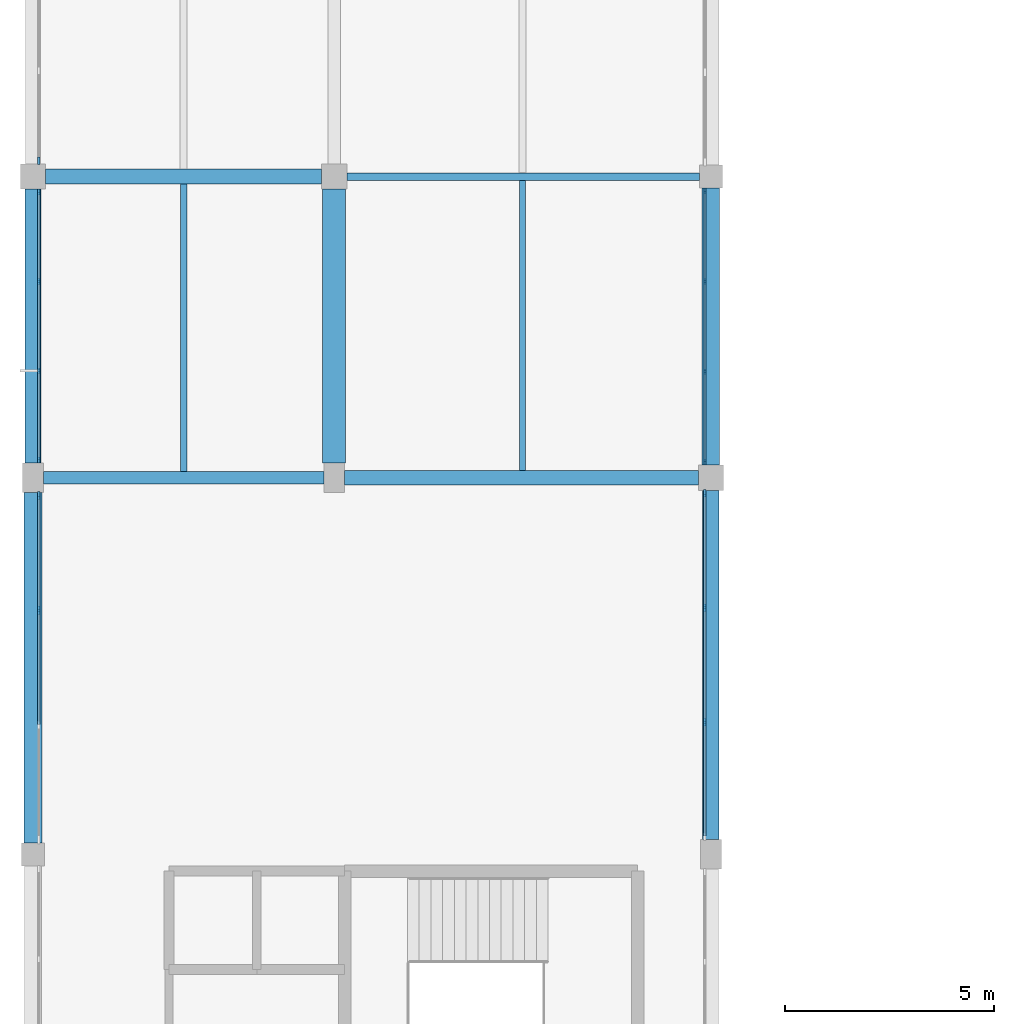
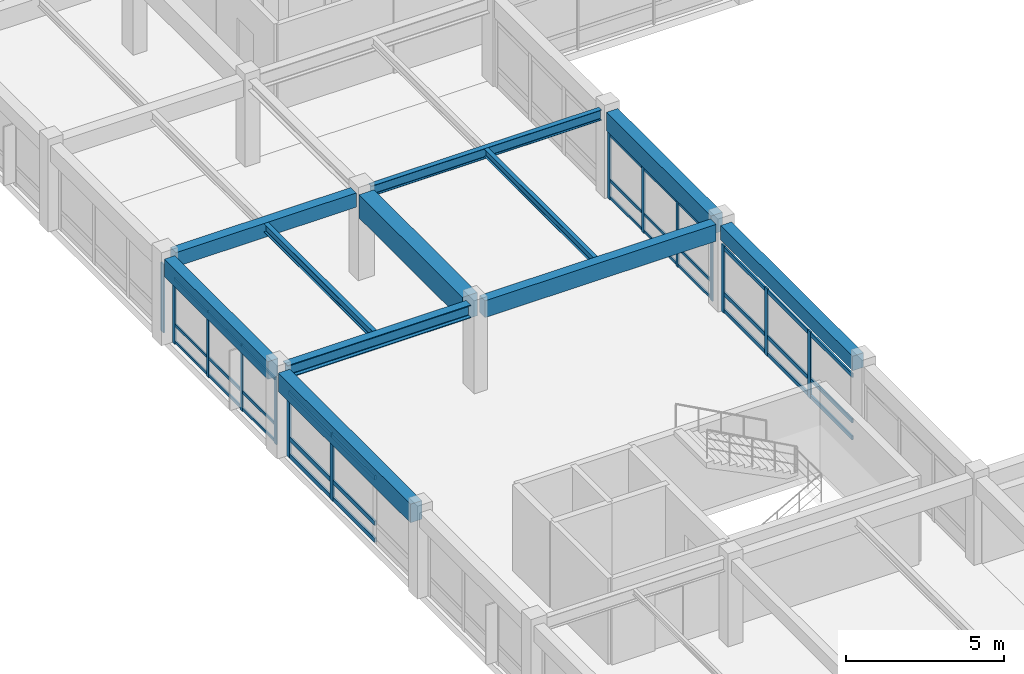
# One storey, part 20 of 74: 47 members, 11 beams, 5 elements without a shape of their own.
"""IFC4 building model written with IfcOpenShell, lengths in metres."""

from ifc_helpers import new_model, si_unit, direction, frame, origin, origin_2d, place, context, subcontext, project, spatial, rectangle, i_section, extrude, material, material_profile, profile_set, type_object, element, aggregate, save


model = new_model("IFC4")

# Units and contexts
model_context = context("Model", 3, precision=1e-05, world=origin(), true_north=direction((0.0, 1.0)))
body_context = subcontext(model_context, "Body", "Model", "MODEL_VIEW")
ifc_project = project(units=[si_unit("LENGTHUNIT", "METRE"), si_unit("AREAUNIT", "SQUARE_METRE"), si_unit("VOLUMEUNIT", "CUBIC_METRE"), si_unit("PLANEANGLEUNIT", "RADIAN"), si_unit("MASSUNIT", "GRAM", prefix="KILO")], contexts=[model_context])

# Site, building, storey
site_placement = place(None, origin())
site = spatial("IfcSite", under=ifc_project, at=site_placement, CompositionType="ELEMENT")
building_placement = place(site_placement, origin())
building = spatial("IfcBuilding", under=site, at=building_placement, Name="Clarverna Civic Hall", CompositionType="ELEMENT")
storey_placement = place(building_placement, frame((0.0, 0.0, 9.60009765625)))
storey = spatial("IfcBuildingStorey", under=building, at=storey_placement, Name="L02", CompositionType="ELEMENT", Elevation=9.60009765625)

# Beams
ifc_material_1 = material(Name="Concrete C35/45", Category="concrete")
ifc_material_profile_1 = material_profile(ifc_material_1, rectangle(XDim=0.550048828125, YDim=0.89990234375, at=origin_2d()), Name="RC 550x900")
ifc_profile_set_1 = profile_set([ifc_material_profile_1], Name="Concrete C35/45")
beam_type_1 = type_object("IfcBeamType", Name="B-RC13", PredefinedType="BEAM", material=ifc_profile_set_1)
beam_1_placement = place(storey_placement, frame((7.199951171875, 88.14990234375, 2.869873046875), z_axis=(0.0, 1.0, 0.0), x_axis=(-1.0, 0.0, 0.0)))
element("IfcBeam", 1, at=beam_1_placement, inside=storey, type_object=beam_type_1, Name="B-RC13-027", PredefinedType="BEAM", context=body_context, shape_type="SweptSolid", body=[
    extrude(rectangle(XDim=0.550048828125, YDim=0.89990234375, at=origin_2d()), origin(), (0.0, 0.0, 1.0), 6.550048828125),
])
ifc_material_profile_2 = material_profile(ifc_material_1, rectangle(XDim=0.35009765625, YDim=0.64990234375, at=origin_2d()), Name="RC 350x650")
ifc_profile_set_2 = profile_set([ifc_material_profile_2], Name="Concrete C35/45")
beam_type_2 = type_object("IfcBeamType", Name="B-RC17", PredefinedType="BEAM", material=ifc_profile_set_2)
beam_2_placement = place(storey_placement, frame((7.449951171875, 87.800048828125, 2.994873046875), z_axis=(1.0, 0.0, 0.0), x_axis=(0.0, 1.0, 0.0)))
element("IfcBeam", 2, at=beam_2_placement, inside=storey, type_object=beam_type_2, Name="B-RC17-029", PredefinedType="BEAM", context=body_context, shape_type="SweptSolid", body=[
    extrude(rectangle(XDim=0.35009765625, YDim=0.64990234375, at=origin_2d()), origin(), (0.0, 0.0, 1.0), 8.449951171875),
])
ifc_material_profile_3 = material_profile(ifc_material_1, rectangle(XDim=0.35009765625, YDim=0.550048828125, at=origin_2d()), Name="RC 350x550")
ifc_profile_set_3 = profile_set([ifc_material_profile_3], Name="Concrete C35/45")
beam_type_3 = type_object("IfcBeamType", Name="B-RC9", PredefinedType="BEAM", material=ifc_profile_set_3)
beam_3_placement = place(storey_placement, frame((0.300048828125, 95.0, 3.044921875), z_axis=(1.0, 0.0, 0.0), x_axis=(0.0, 1.0, 0.0)))
element("IfcBeam", 3, at=beam_3_placement, inside=storey, type_object=beam_type_3, Name="B-RC9-035", PredefinedType="BEAM", context=body_context, shape_type="SweptSolid", body=[
    extrude(rectangle(XDim=0.35009765625, YDim=0.550048828125, at=origin_2d()), origin(), (0.0, 0.0, 1.0), 6.599853515625),
])
ifc_material_profile_4 = material_profile(ifc_material_1, rectangle(XDim=0.419921875, YDim=0.719970703125, at=origin_2d()), Name="RC 420x720")
ifc_profile_set_4 = profile_set([ifc_material_profile_4], Name="Concrete C35/45")
beam_type_4 = type_object("IfcBeamType", Name="B-SP1", PredefinedType="SPANDREL", material=ifc_profile_set_4)
beam_4_placement = place(storey_placement, frame((0.0, 79.074951171875, 2.9599609375), z_axis=(0.0, 1.0, 0.0), x_axis=(-1.0, 0.0, 0.0)))
element("IfcBeam", 4, at=beam_4_placement, inside=storey, type_object=beam_type_4, Name="B-SP1-095", PredefinedType="SPANDREL", context=body_context, shape_type="SweptSolid", body=[
    extrude(rectangle(XDim=0.419921875, YDim=0.719970703125, at=origin_2d()), origin(), (0.0, 0.0, 1.0), 8.375),
])
beam_5_placement = place(storey_placement, frame((16.199951171875, 88.10009765625, 2.9599609375), z_axis=(0.0, 1.0, 0.0), x_axis=(-1.0, 0.0, 0.0)))
element("IfcBeam", 5, at=beam_5_placement, inside=storey, type_object=beam_type_4, Name="B-SP1-097", PredefinedType="SPANDREL", context=body_context, shape_type="SweptSolid", body=[
    extrude(rectangle(XDim=0.419921875, YDim=0.719970703125, at=origin_2d()), origin(), (0.0, 0.0, 1.0), 6.625),
])
ifc_material_profile_5 = material_profile(ifc_material_1, rectangle(XDim=0.3798828125, YDim=0.679931640625, at=origin_2d()), Name="RC 380x680")
ifc_profile_set_5 = profile_set([ifc_material_profile_5], Name="Concrete C35/45")
beam_type_5 = type_object("IfcBeamType", Name="B-SP2", PredefinedType="SPANDREL", material=ifc_profile_set_5)
beam_6_placement = place(storey_placement, frame((0.0, 88.14990234375, 2.97998046875), z_axis=(0.0, 1.0, 0.0), x_axis=(-1.0, 0.0, 0.0)))
element("IfcBeam", 6, at=beam_6_placement, inside=storey, type_object=beam_type_5, Name="B-SP2-099", PredefinedType="SPANDREL", context=body_context, shape_type="SweptSolid", body=[
    extrude(rectangle(XDim=0.3798828125, YDim=0.679931640625, at=origin_2d()), origin(), (0.0, 0.0, 1.0), 6.550048828125),
])
ifc_material_profile_6 = material_profile(ifc_material_1, rectangle(XDim=0.39990234375, YDim=0.56005859375, at=origin_2d()), Name="RC 400x560")
ifc_profile_set_6 = profile_set([ifc_material_profile_6], Name="Concrete C35/45")
beam_type_6 = type_object("IfcBeamType", Name="B-SP4", PredefinedType="SPANDREL", material=ifc_profile_set_6)
beam_7_placement = place(storey_placement, frame((16.199951171875, 79.14990234375, 3.039794921875), z_axis=(0.0, 1.0, 0.0), x_axis=(-1.0, 0.0, 0.0)))
element("IfcBeam", 7, at=beam_7_placement, inside=storey, type_object=beam_type_6, Name="B-SP4-098", PredefinedType="SPANDREL", context=body_context, shape_type="SweptSolid", body=[
    extrude(rectangle(XDim=0.39990234375, YDim=0.56005859375, at=origin_2d()), origin(), (0.0, 0.0, 1.0), 8.35009765625),
])
ifc_material_2 = material(Name="Steel S355", Category="steel")
ifc_material_profile_7 = material_profile(ifc_material_2, i_section(OverallWidth=0.179931640625, OverallDepth=0.39990234375, WebThickness=0.008544921875, FlangeThickness=0.013427734375, FilletRadius=0.02099609375, at=origin_2d()), Name="IPE 400")
ifc_profile_set_7 = profile_set([ifc_material_profile_7], Name="Steel S355")
beam_type_7 = type_object("IfcBeamType", Name="B-ST14", PredefinedType="BEAM", material=ifc_profile_set_7)
beam_8_placement = place(storey_placement, frame((7.5, 95.0, 3.119873046875), z_axis=(1.0, 0.0, 0.0), x_axis=(0.0, 1.0, 0.0)))
element("IfcBeam", 8, at=beam_8_placement, inside=storey, type_object=beam_type_7, Name="B-ST14-010", PredefinedType="BEAM", context=body_context, shape_type="SweptSolid", body=[
    extrude(i_section(OverallWidth=0.179931640625, OverallDepth=0.39990234375, WebThickness=0.008544921875, FlangeThickness=0.013427734375, FilletRadius=0.02099609375, at=origin_2d()), origin(), (0.0, 0.0, 1.0), 8.425048828125),
])
ifc_material_profile_8 = material_profile(ifc_material_2, i_section(OverallWidth=0.300048828125, OverallDepth=0.5, WebThickness=0.014404296875, FlangeThickness=0.028076171875, FilletRadius=0.027099609375, at=origin_2d()), Name="HEB 500")
ifc_profile_set_8 = profile_set([ifc_material_profile_8], Name="Steel S355")
beam_type_8 = type_object("IfcBeamType", Name="B-ST2", PredefinedType="BEAM", material=ifc_profile_set_8)
beam_9_placement = place(storey_placement, frame((0.25, 87.800048828125, 3.06982421875), z_axis=(1.0, 0.0, 0.0), x_axis=(0.0, 1.0, 0.0)))
element("IfcBeam", 9, at=beam_9_placement, inside=storey, type_object=beam_type_8, Name="B-ST2-005", PredefinedType="BEAM", context=body_context, shape_type="SweptSolid", body=[
    extrude(i_section(OverallWidth=0.300048828125, OverallDepth=0.5, WebThickness=0.014404296875, FlangeThickness=0.028076171875, FilletRadius=0.027099609375, at=origin_2d()), origin(), (0.0, 0.0, 1.0), 6.699951171875),
])

# Curtain wall, member
ifc_material_3 = material(Name="Anodised Bronze Architectural Aluminium", Category="aluminium")
curtain_wall_type_1 = type_object("IfcCurtainWallType", Name="CW-01", PredefinedType="USERDEFINED", material=ifc_material_3)
curtain_wall_1_placement = place(storey_placement, origin())
curtain_wall_1 = element("IfcCurtainWall", 10, at=curtain_wall_1_placement, inside=storey, type_object=curtain_wall_type_1, Name="CW-01-027", ObjectType="UNITISED CURTAIN WALL", PredefinedType="USERDEFINED")
ifc_material_profile_9 = material_profile(ifc_material_3, rectangle(XDim=0.06005859375, YDim=0.179931640625, at=origin_2d()), Name="BRONZE 60x180")
ifc_profile_set_9 = profile_set([ifc_material_profile_9], Name="Anodised Bronze Architectural Aluminium")
member_type_1 = type_object("IfcMemberType", Name="CWM-01", PredefinedType="MULLION", material=ifc_profile_set_9)
member_1_placement = place(storey_placement, frame((0.139892578125, 95.373046875, 0.0), z_axis=(0.0, 0.0, 1.0), x_axis=(1.0, 0.0, 0.0)))
member_1 = element("IfcMember", 11, at=member_1_placement, type_object=member_type_1, Name="CWM-01-078", PredefinedType="MULLION", context=body_context, shape_type="SweptSolid", body=[
    extrude(rectangle(XDim=0.06005859375, YDim=0.179931640625, at=origin_2d()), origin(), (0.0, 0.0, 1.0), 2.639892578125),
])
aggregate(curtain_wall_1, [member_1])

# Curtain wall, members
curtain_wall_type_2 = type_object("IfcCurtainWallType", Name="CW-04", PredefinedType="USERDEFINED", material=ifc_material_3)
curtain_wall_2_placement = place(storey_placement, origin())
curtain_wall_2 = element("IfcCurtainWall", 12, at=curtain_wall_2_placement, inside=storey, type_object=curtain_wall_type_2, Name="CW-04-034", ObjectType="UNITISED CURTAIN WALL", PredefinedType="USERDEFINED")
member_2_placement = place(storey_placement, frame((16.06005859375, 87.427001953125, 0.0), z_axis=(0.0, 0.0, 1.0), x_axis=(1.0, 0.0, 0.0)))
member_2 = element("IfcMember", 13, at=member_2_placement, type_object=member_type_1, Name="CWM-01-121", PredefinedType="MULLION", context=body_context, shape_type="SweptSolid", body=[
    extrude(rectangle(XDim=0.06005859375, YDim=0.179931640625, at=origin_2d()), origin(), (0.0, 0.0, 1.0), 2.599853515625),
])
member_3_placement = place(storey_placement, frame((16.06005859375, 84.6923828125, 0.0), z_axis=(0.0, 0.0, 1.0), x_axis=(1.0, 0.0, 0.0)))
member_3 = element("IfcMember", 14, at=member_3_placement, type_object=member_type_1, Name="CWM-01-122", PredefinedType="MULLION", context=body_context, shape_type="SweptSolid", body=[
    extrude(rectangle(XDim=0.06005859375, YDim=0.179931640625, at=origin_2d()), origin(), (0.0, 0.0, 1.0), 2.599853515625),
])
member_4_placement = place(storey_placement, frame((16.06005859375, 81.957763671875, 0.0), z_axis=(0.0, 0.0, 1.0), x_axis=(1.0, 0.0, 0.0)))
member_4 = element("IfcMember", 15, at=member_4_placement, type_object=member_type_1, Name="CWM-01-123", PredefinedType="MULLION", context=body_context, shape_type="SweptSolid", body=[
    extrude(rectangle(XDim=0.06005859375, YDim=0.179931640625, at=origin_2d()), origin(), (0.0, 0.0, 1.0), 2.599853515625),
])

curtain_wall_3_placement = place(storey_placement, origin())
curtain_wall_3 = element("IfcCurtainWall", 16, at=curtain_wall_3_placement, inside=storey, type_object=curtain_wall_type_1, Name="CW-01-025", ObjectType="UNITISED CURTAIN WALL", PredefinedType="USERDEFINED")
ifc_material_profile_10 = material_profile(ifc_material_3, rectangle(XDim=0.06494140625, YDim=0.199951171875, at=origin_2d()), Name="BRONZE 65x200")
ifc_profile_set_10 = profile_set([ifc_material_profile_10], Name="Anodised Bronze Architectural Aluminium")
member_type_2 = type_object("IfcMemberType", Name="CWM-03", PredefinedType="MULLION", material=ifc_profile_set_10)
member_5_placement = place(storey_placement, frame((0.139892578125, 84.634033203125, 0.0), z_axis=(0.0, 0.0, 1.0), x_axis=(1.0, 0.0, 0.0)))
member_5 = element("IfcMember", 17, at=member_5_placement, type_object=member_type_2, Name="CWM-03-077", PredefinedType="MULLION", context=body_context, shape_type="SweptSolid", body=[
    extrude(rectangle(XDim=0.06494140625, YDim=0.199951171875, at=origin_2d()), origin(), (0.0, 0.0, 1.0), 2.599853515625),
])
member_6_placement = place(storey_placement, frame((0.139892578125, 87.376953125, 0.0), z_axis=(0.0, 0.0, 1.0), x_axis=(1.0, 0.0, 0.0)))
member_6 = element("IfcMember", 18, at=member_6_placement, type_object=member_type_2, Name="CWM-03-078", PredefinedType="MULLION", context=body_context, shape_type="SweptSolid", body=[
    extrude(rectangle(XDim=0.06494140625, YDim=0.199951171875, at=origin_2d()), origin(), (0.0, 0.0, 1.0), 2.599853515625),
])

curtain_wall_4_placement = place(storey_placement, origin())
curtain_wall_4 = element("IfcCurtainWall", 19, at=curtain_wall_4_placement, inside=storey, type_object=curtain_wall_type_1, Name="CW-01-026", ObjectType="UNITISED CURTAIN WALL", PredefinedType="USERDEFINED")
ifc_material_profile_11 = material_profile(ifc_material_3, rectangle(XDim=0.054931640625, YDim=0.139892578125, at=origin_2d()), Name="BRONZE 55x140")
ifc_profile_set_11 = profile_set([ifc_material_profile_11], Name="Anodised Bronze Architectural Aluminium")
member_type_3 = type_object("IfcMemberType", Name="CWM-04", PredefinedType="MULLION", material=ifc_profile_set_11)
member_7_placement = place(storey_placement, frame((0.139892578125, 88.222900390625, 0.0), z_axis=(0.0, 0.0, 1.0), x_axis=(1.0, 0.0, 0.0)))
member_7 = element("IfcMember", 20, at=member_7_placement, type_object=member_type_3, Name="CWM-04-089", PredefinedType="MULLION", context=body_context, shape_type="SweptSolid", body=[
    extrude(rectangle(XDim=0.054931640625, YDim=0.139892578125, at=origin_2d()), origin(), (0.0, 0.0, 1.0), 2.599853515625),
])
member_8_placement = place(storey_placement, frame((0.139892578125, 90.357666015625, 0.0), z_axis=(0.0, 0.0, 1.0), x_axis=(1.0, 0.0, 0.0)))
member_8 = element("IfcMember", 21, at=member_8_placement, type_object=member_type_3, Name="CWM-04-090", PredefinedType="MULLION", context=body_context, shape_type="SweptSolid", body=[
    extrude(rectangle(XDim=0.054931640625, YDim=0.139892578125, at=origin_2d()), origin(), (0.0, 0.0, 1.0), 2.599853515625),
])
member_9_placement = place(storey_placement, frame((0.139892578125, 92.4921875, 0.0), z_axis=(0.0, 0.0, 1.0), x_axis=(1.0, 0.0, 0.0)))
member_9 = element("IfcMember", 22, at=member_9_placement, type_object=member_type_3, Name="CWM-04-091", PredefinedType="MULLION", context=body_context, shape_type="SweptSolid", body=[
    extrude(rectangle(XDim=0.054931640625, YDim=0.139892578125, at=origin_2d()), origin(), (0.0, 0.0, 1.0), 2.599853515625),
])
member_10_placement = place(storey_placement, frame((0.139892578125, 94.626953125, 0.0), z_axis=(0.0, 0.0, 1.0), x_axis=(1.0, 0.0, 0.0)))
member_10 = element("IfcMember", 23, at=member_10_placement, type_object=member_type_3, Name="CWM-04-092", PredefinedType="MULLION", context=body_context, shape_type="SweptSolid", body=[
    extrude(rectangle(XDim=0.054931640625, YDim=0.139892578125, at=origin_2d()), origin(), (0.0, 0.0, 1.0), 2.599853515625),
])

curtain_wall_5_placement = place(storey_placement, origin())
curtain_wall_5 = element("IfcCurtainWall", 24, at=curtain_wall_5_placement, inside=storey, type_object=curtain_wall_type_2, Name="CW-04-033", ObjectType="UNITISED CURTAIN WALL", PredefinedType="USERDEFINED")
member_11_placement = place(storey_placement, frame((16.06005859375, 94.652099609375, 0.0), z_axis=(0.0, 0.0, 1.0), x_axis=(1.0, 0.0, 0.0)))
member_11 = element("IfcMember", 25, at=member_11_placement, type_object=member_type_3, Name="CWM-04-149", PredefinedType="MULLION", context=body_context, shape_type="SweptSolid", body=[
    extrude(rectangle(XDim=0.054931640625, YDim=0.139892578125, at=origin_2d()), origin(), (0.0, 0.0, 1.0), 2.599853515625),
])
member_12_placement = place(storey_placement, frame((16.06005859375, 92.4921875, 0.0), z_axis=(0.0, 0.0, 1.0), x_axis=(1.0, 0.0, 0.0)))
member_12 = element("IfcMember", 26, at=member_12_placement, type_object=member_type_3, Name="CWM-04-150", PredefinedType="MULLION", context=body_context, shape_type="SweptSolid", body=[
    extrude(rectangle(XDim=0.054931640625, YDim=0.139892578125, at=origin_2d()), origin(), (0.0, 0.0, 1.0), 2.599853515625),
])
member_13_placement = place(storey_placement, frame((16.06005859375, 90.332763671875, 0.0), z_axis=(0.0, 0.0, 1.0), x_axis=(1.0, 0.0, 0.0)))
member_13 = element("IfcMember", 27, at=member_13_placement, type_object=member_type_3, Name="CWM-04-151", PredefinedType="MULLION", context=body_context, shape_type="SweptSolid", body=[
    extrude(rectangle(XDim=0.054931640625, YDim=0.139892578125, at=origin_2d()), origin(), (0.0, 0.0, 1.0), 2.599853515625),
])
member_14_placement = place(storey_placement, frame((16.06005859375, 88.173095703125, 0.0), z_axis=(0.0, 0.0, 1.0), x_axis=(1.0, 0.0, 0.0)))
member_14 = element("IfcMember", 28, at=member_14_placement, type_object=member_type_3, Name="CWM-04-152", PredefinedType="MULLION", context=body_context, shape_type="SweptSolid", body=[
    extrude(rectangle(XDim=0.054931640625, YDim=0.139892578125, at=origin_2d()), origin(), (0.0, 0.0, 1.0), 2.599853515625),
])

# Member
ifc_material_profile_12 = material_profile(ifc_material_3, rectangle(XDim=0.06005859375, YDim=0.14990234375, at=origin_2d()), Name="BRONZE 60x150")
ifc_profile_set_12 = profile_set([ifc_material_profile_12], Name="Anodised Bronze Architectural Aluminium")
member_type_4 = type_object("IfcMemberType", Name="CWT-01", PredefinedType="USERDEFINED", material=ifc_profile_set_12)
member_15_placement = place(storey_placement, frame((16.06005859375, 87.412109375, 0.094970703125), z_axis=(0.0, -1.0, 0.0), x_axis=(1.0, 0.0, 0.0)))
member_15 = element("IfcMember", 29, at=member_15_placement, type_object=member_type_4, Name="CWT-01-256", ObjectType="TRANSOM", PredefinedType="USERDEFINED", context=body_context, shape_type="SweptSolid", body=[
    extrude(rectangle(XDim=0.06005859375, YDim=0.14990234375, at=origin_2d()), origin(), (0.0, 0.0, 1.0), 2.704833984375),
])

member_16_placement = place(storey_placement, frame((16.06005859375, 87.412109375, 0.75), z_axis=(0.0, -1.0, 0.0), x_axis=(1.0, 0.0, 0.0)))
member_16 = element("IfcMember", 30, at=member_16_placement, type_object=member_type_4, Name="CWT-01-257", ObjectType="TRANSOM", PredefinedType="USERDEFINED", context=body_context, shape_type="SweptSolid", body=[
    extrude(rectangle(XDim=0.06005859375, YDim=0.14990234375, at=origin_2d()), origin(), (0.0, 0.0, 1.0), 2.704833984375),
])

member_17_placement = place(storey_placement, frame((16.06005859375, 87.412109375, 2.5048828125), z_axis=(0.0, -1.0, 0.0), x_axis=(1.0, 0.0, 0.0)))
member_17 = element("IfcMember", 31, at=member_17_placement, type_object=member_type_4, Name="CWT-01-258", ObjectType="TRANSOM", PredefinedType="USERDEFINED", context=body_context, shape_type="SweptSolid", body=[
    extrude(rectangle(XDim=0.06005859375, YDim=0.14990234375, at=origin_2d()), origin(), (0.0, 0.0, 1.0), 2.704833984375),
])

member_18_placement = place(storey_placement, frame((16.06005859375, 84.67724609375, 0.094970703125), z_axis=(0.0, -1.0, 0.0), x_axis=(1.0, 0.0, 0.0)))
member_18 = element("IfcMember", 32, at=member_18_placement, type_object=member_type_4, Name="CWT-01-259", ObjectType="TRANSOM", PredefinedType="USERDEFINED", context=body_context, shape_type="SweptSolid", body=[
    extrude(rectangle(XDim=0.06005859375, YDim=0.14990234375, at=origin_2d()), origin(), (0.0, 0.0, 1.0), 2.70458984375),
])

member_19_placement = place(storey_placement, frame((16.06005859375, 84.67724609375, 0.75), z_axis=(0.0, -1.0, 0.0), x_axis=(1.0, 0.0, 0.0)))
member_19 = element("IfcMember", 33, at=member_19_placement, type_object=member_type_4, Name="CWT-01-260", ObjectType="TRANSOM", PredefinedType="USERDEFINED", context=body_context, shape_type="SweptSolid", body=[
    extrude(rectangle(XDim=0.06005859375, YDim=0.14990234375, at=origin_2d()), origin(), (0.0, 0.0, 1.0), 2.70458984375),
])

member_20_placement = place(storey_placement, frame((16.06005859375, 84.67724609375, 2.5048828125), z_axis=(0.0, -1.0, 0.0), x_axis=(1.0, 0.0, 0.0)))
member_20 = element("IfcMember", 34, at=member_20_placement, type_object=member_type_4, Name="CWT-01-261", ObjectType="TRANSOM", PredefinedType="USERDEFINED", context=body_context, shape_type="SweptSolid", body=[
    extrude(rectangle(XDim=0.06005859375, YDim=0.14990234375, at=origin_2d()), origin(), (0.0, 0.0, 1.0), 2.70458984375),
])

member_21_placement = place(storey_placement, frame((16.06005859375, 81.942626953125, 0.094970703125), z_axis=(0.0, -1.0, 0.0), x_axis=(1.0, 0.0, 0.0)))
member_21 = element("IfcMember", 35, at=member_21_placement, type_object=member_type_4, Name="CWT-01-262", ObjectType="TRANSOM", PredefinedType="USERDEFINED", context=body_context, shape_type="SweptSolid", body=[
    extrude(rectangle(XDim=0.06005859375, YDim=0.14990234375, at=origin_2d()), origin(), (0.0, 0.0, 1.0), 2.70458984375),
])

member_22_placement = place(storey_placement, frame((16.06005859375, 81.942626953125, 0.75), z_axis=(0.0, -1.0, 0.0), x_axis=(1.0, 0.0, 0.0)))
member_22 = element("IfcMember", 36, at=member_22_placement, type_object=member_type_4, Name="CWT-01-263", ObjectType="TRANSOM", PredefinedType="USERDEFINED", context=body_context, shape_type="SweptSolid", body=[
    extrude(rectangle(XDim=0.06005859375, YDim=0.14990234375, at=origin_2d()), origin(), (0.0, 0.0, 1.0), 2.70458984375),
])

member_23_placement = place(storey_placement, frame((16.06005859375, 81.942626953125, 2.5048828125), z_axis=(0.0, -1.0, 0.0), x_axis=(1.0, 0.0, 0.0)))
member_23 = element("IfcMember", 37, at=member_23_placement, type_object=member_type_4, Name="CWT-01-264", ObjectType="TRANSOM", PredefinedType="USERDEFINED", context=body_context, shape_type="SweptSolid", body=[
    extrude(rectangle(XDim=0.06005859375, YDim=0.14990234375, at=origin_2d()), origin(), (0.0, 0.0, 1.0), 2.70458984375),
])

aggregate(curtain_wall_2, [member_2, member_3, member_4, member_15, member_16, member_17, member_18, member_19, member_20, member_21, member_22, member_23])

ifc_material_profile_13 = material_profile(ifc_material_3, rectangle(XDim=0.06494140625, YDim=0.169921875, at=origin_2d()), Name="BRONZE 65x170")
ifc_profile_set_13 = profile_set([ifc_material_profile_13], Name="Anodised Bronze Architectural Aluminium")
member_type_5 = type_object("IfcMemberType", Name="CWT-03", PredefinedType="USERDEFINED", material=ifc_profile_set_13)
member_24_placement = place(storey_placement, frame((0.139892578125, 81.906005859375, 0.094970703125), z_axis=(0.0, 1.0, 0.0), x_axis=(-1.0, 0.0, 0.0)))
member_24 = element("IfcMember", 38, at=member_24_placement, type_object=member_type_5, Name="CWT-03-160", ObjectType="TRANSOM", PredefinedType="USERDEFINED", context=body_context, shape_type="SweptSolid", body=[
    extrude(rectangle(XDim=0.06494140625, YDim=0.169921875, at=origin_2d()), origin(), (0.0, 0.0, 1.0), 2.712890625),
])

member_25_placement = place(storey_placement, frame((0.139892578125, 81.906005859375, 0.75), z_axis=(0.0, 1.0, 0.0), x_axis=(-1.0, 0.0, 0.0)))
member_25 = element("IfcMember", 39, at=member_25_placement, type_object=member_type_5, Name="CWT-03-161", ObjectType="TRANSOM", PredefinedType="USERDEFINED", context=body_context, shape_type="SweptSolid", body=[
    extrude(rectangle(XDim=0.06494140625, YDim=0.169921875, at=origin_2d()), origin(), (0.0, 0.0, 1.0), 2.712890625),
])

member_26_placement = place(storey_placement, frame((0.139892578125, 81.906005859375, 2.5048828125), z_axis=(0.0, 1.0, 0.0), x_axis=(-1.0, 0.0, 0.0)))
member_26 = element("IfcMember", 40, at=member_26_placement, type_object=member_type_5, Name="CWT-03-162", ObjectType="TRANSOM", PredefinedType="USERDEFINED", context=body_context, shape_type="SweptSolid", body=[
    extrude(rectangle(XDim=0.06494140625, YDim=0.169921875, at=origin_2d()), origin(), (0.0, 0.0, 1.0), 2.712890625),
])

member_27_placement = place(storey_placement, frame((0.139892578125, 84.64892578125, 0.094970703125), z_axis=(0.0, 1.0, 0.0), x_axis=(-1.0, 0.0, 0.0)))
member_27 = element("IfcMember", 41, at=member_27_placement, type_object=member_type_5, Name="CWT-03-163", ObjectType="TRANSOM", PredefinedType="USERDEFINED", context=body_context, shape_type="SweptSolid", body=[
    extrude(rectangle(XDim=0.06494140625, YDim=0.169921875, at=origin_2d()), origin(), (0.0, 0.0, 1.0), 2.713134765625),
])

member_28_placement = place(storey_placement, frame((0.139892578125, 84.64892578125, 0.75), z_axis=(0.0, 1.0, 0.0), x_axis=(-1.0, 0.0, 0.0)))
member_28 = element("IfcMember", 42, at=member_28_placement, type_object=member_type_5, Name="CWT-03-164", ObjectType="TRANSOM", PredefinedType="USERDEFINED", context=body_context, shape_type="SweptSolid", body=[
    extrude(rectangle(XDim=0.06494140625, YDim=0.169921875, at=origin_2d()), origin(), (0.0, 0.0, 1.0), 2.713134765625),
])

member_29_placement = place(storey_placement, frame((0.139892578125, 84.64892578125, 2.5048828125), z_axis=(0.0, 1.0, 0.0), x_axis=(-1.0, 0.0, 0.0)))
member_29 = element("IfcMember", 43, at=member_29_placement, type_object=member_type_5, Name="CWT-03-165", ObjectType="TRANSOM", PredefinedType="USERDEFINED", context=body_context, shape_type="SweptSolid", body=[
    extrude(rectangle(XDim=0.06494140625, YDim=0.169921875, at=origin_2d()), origin(), (0.0, 0.0, 1.0), 2.713134765625),
])

aggregate(curtain_wall_3, [member_5, member_6, member_24, member_25, member_26, member_27, member_28, member_29])

ifc_material_profile_14 = material_profile(ifc_material_3, rectangle(XDim=0.054931640625, YDim=0.110107421875, at=origin_2d()), Name="BRONZE 55x110")
ifc_profile_set_14 = profile_set([ifc_material_profile_14], Name="Anodised Bronze Architectural Aluminium")
member_type_6 = type_object("IfcMemberType", Name="CWT-04", PredefinedType="USERDEFINED", material=ifc_profile_set_14)
member_30_placement = place(storey_placement, frame((0.139892578125, 88.238037109375, 0.094970703125), z_axis=(0.0, 1.0, 0.0), x_axis=(-1.0, 0.0, 0.0)))
member_30 = element("IfcMember", 44, at=member_30_placement, type_object=member_type_6, Name="CWT-04-187", ObjectType="TRANSOM", PredefinedType="USERDEFINED", context=body_context, shape_type="SweptSolid", body=[
    extrude(rectangle(XDim=0.054931640625, YDim=0.110107421875, at=origin_2d()), origin(), (0.0, 0.0, 1.0), 2.104736328125),
])

member_31_placement = place(storey_placement, frame((0.139892578125, 88.238037109375, 0.75), z_axis=(0.0, 1.0, 0.0), x_axis=(-1.0, 0.0, 0.0)))
member_31 = element("IfcMember", 45, at=member_31_placement, type_object=member_type_6, Name="CWT-04-188", ObjectType="TRANSOM", PredefinedType="USERDEFINED", context=body_context, shape_type="SweptSolid", body=[
    extrude(rectangle(XDim=0.054931640625, YDim=0.110107421875, at=origin_2d()), origin(), (0.0, 0.0, 1.0), 2.104736328125),
])

member_32_placement = place(storey_placement, frame((0.139892578125, 88.238037109375, 2.5048828125), z_axis=(0.0, 1.0, 0.0), x_axis=(-1.0, 0.0, 0.0)))
member_32 = element("IfcMember", 46, at=member_32_placement, type_object=member_type_6, Name="CWT-04-189", ObjectType="TRANSOM", PredefinedType="USERDEFINED", context=body_context, shape_type="SweptSolid", body=[
    extrude(rectangle(XDim=0.054931640625, YDim=0.110107421875, at=origin_2d()), origin(), (0.0, 0.0, 1.0), 2.104736328125),
])

member_33_placement = place(storey_placement, frame((0.139892578125, 90.372802734375, 0.094970703125), z_axis=(0.0, 1.0, 0.0), x_axis=(-1.0, 0.0, 0.0)))
member_33 = element("IfcMember", 47, at=member_33_placement, type_object=member_type_6, Name="CWT-04-190", ObjectType="TRANSOM", PredefinedType="USERDEFINED", context=body_context, shape_type="SweptSolid", body=[
    extrude(rectangle(XDim=0.054931640625, YDim=0.110107421875, at=origin_2d()), origin(), (0.0, 0.0, 1.0), 2.1044921875),
])

member_34_placement = place(storey_placement, frame((0.139892578125, 90.372802734375, 0.75), z_axis=(0.0, 1.0, 0.0), x_axis=(-1.0, 0.0, 0.0)))
member_34 = element("IfcMember", 48, at=member_34_placement, type_object=member_type_6, Name="CWT-04-191", ObjectType="TRANSOM", PredefinedType="USERDEFINED", context=body_context, shape_type="SweptSolid", body=[
    extrude(rectangle(XDim=0.054931640625, YDim=0.110107421875, at=origin_2d()), origin(), (0.0, 0.0, 1.0), 2.1044921875),
])

member_35_placement = place(storey_placement, frame((0.139892578125, 90.372802734375, 2.5048828125), z_axis=(0.0, 1.0, 0.0), x_axis=(-1.0, 0.0, 0.0)))
member_35 = element("IfcMember", 49, at=member_35_placement, type_object=member_type_6, Name="CWT-04-192", ObjectType="TRANSOM", PredefinedType="USERDEFINED", context=body_context, shape_type="SweptSolid", body=[
    extrude(rectangle(XDim=0.054931640625, YDim=0.110107421875, at=origin_2d()), origin(), (0.0, 0.0, 1.0), 2.1044921875),
])

member_36_placement = place(storey_placement, frame((0.139892578125, 92.50732421875, 0.094970703125), z_axis=(0.0, 1.0, 0.0), x_axis=(-1.0, 0.0, 0.0)))
member_36 = element("IfcMember", 50, at=member_36_placement, type_object=member_type_6, Name="CWT-04-193", ObjectType="TRANSOM", PredefinedType="USERDEFINED", context=body_context, shape_type="SweptSolid", body=[
    extrude(rectangle(XDim=0.054931640625, YDim=0.110107421875, at=origin_2d()), origin(), (0.0, 0.0, 1.0), 2.104736328125),
])

member_37_placement = place(storey_placement, frame((0.139892578125, 92.50732421875, 0.75), z_axis=(0.0, 1.0, 0.0), x_axis=(-1.0, 0.0, 0.0)))
member_37 = element("IfcMember", 51, at=member_37_placement, type_object=member_type_6, Name="CWT-04-194", ObjectType="TRANSOM", PredefinedType="USERDEFINED", context=body_context, shape_type="SweptSolid", body=[
    extrude(rectangle(XDim=0.054931640625, YDim=0.110107421875, at=origin_2d()), origin(), (0.0, 0.0, 1.0), 2.104736328125),
])

member_38_placement = place(storey_placement, frame((0.139892578125, 92.50732421875, 2.5048828125), z_axis=(0.0, 1.0, 0.0), x_axis=(-1.0, 0.0, 0.0)))
member_38 = element("IfcMember", 52, at=member_38_placement, type_object=member_type_6, Name="CWT-04-195", ObjectType="TRANSOM", PredefinedType="USERDEFINED", context=body_context, shape_type="SweptSolid", body=[
    extrude(rectangle(XDim=0.054931640625, YDim=0.110107421875, at=origin_2d()), origin(), (0.0, 0.0, 1.0), 2.104736328125),
])

aggregate(curtain_wall_4, [member_7, member_8, member_9, member_10, member_30, member_31, member_32, member_33, member_34, member_35, member_36, member_37, member_38])

member_39_placement = place(storey_placement, frame((16.06005859375, 94.636962890625, 0.094970703125), z_axis=(0.0, -1.0, 0.0), x_axis=(1.0, 0.0, 0.0)))
member_39 = element("IfcMember", 53, at=member_39_placement, type_object=member_type_6, Name="CWT-04-313", ObjectType="TRANSOM", PredefinedType="USERDEFINED", context=body_context, shape_type="SweptSolid", body=[
    extrude(rectangle(XDim=0.054931640625, YDim=0.110107421875, at=origin_2d()), origin(), (0.0, 0.0, 1.0), 2.129638671875),
])

member_40_placement = place(storey_placement, frame((16.06005859375, 94.636962890625, 0.75), z_axis=(0.0, -1.0, 0.0), x_axis=(1.0, 0.0, 0.0)))
member_40 = element("IfcMember", 54, at=member_40_placement, type_object=member_type_6, Name="CWT-04-314", ObjectType="TRANSOM", PredefinedType="USERDEFINED", context=body_context, shape_type="SweptSolid", body=[
    extrude(rectangle(XDim=0.054931640625, YDim=0.110107421875, at=origin_2d()), origin(), (0.0, 0.0, 1.0), 2.129638671875),
])

member_41_placement = place(storey_placement, frame((16.06005859375, 94.636962890625, 2.5048828125), z_axis=(0.0, -1.0, 0.0), x_axis=(1.0, 0.0, 0.0)))
member_41 = element("IfcMember", 55, at=member_41_placement, type_object=member_type_6, Name="CWT-04-315", ObjectType="TRANSOM", PredefinedType="USERDEFINED", context=body_context, shape_type="SweptSolid", body=[
    extrude(rectangle(XDim=0.054931640625, YDim=0.110107421875, at=origin_2d()), origin(), (0.0, 0.0, 1.0), 2.129638671875),
])

member_42_placement = place(storey_placement, frame((16.06005859375, 92.477294921875, 0.094970703125), z_axis=(0.0, -1.0, 0.0), x_axis=(1.0, 0.0, 0.0)))
member_42 = element("IfcMember", 56, at=member_42_placement, type_object=member_type_6, Name="CWT-04-316", ObjectType="TRANSOM", PredefinedType="USERDEFINED", context=body_context, shape_type="SweptSolid", body=[
    extrude(rectangle(XDim=0.054931640625, YDim=0.110107421875, at=origin_2d()), origin(), (0.0, 0.0, 1.0), 2.129638671875),
])

member_43_placement = place(storey_placement, frame((16.06005859375, 92.477294921875, 0.75), z_axis=(0.0, -1.0, 0.0), x_axis=(1.0, 0.0, 0.0)))
member_43 = element("IfcMember", 57, at=member_43_placement, type_object=member_type_6, Name="CWT-04-317", ObjectType="TRANSOM", PredefinedType="USERDEFINED", context=body_context, shape_type="SweptSolid", body=[
    extrude(rectangle(XDim=0.054931640625, YDim=0.110107421875, at=origin_2d()), origin(), (0.0, 0.0, 1.0), 2.129638671875),
])

member_44_placement = place(storey_placement, frame((16.06005859375, 92.477294921875, 2.5048828125), z_axis=(0.0, -1.0, 0.0), x_axis=(1.0, 0.0, 0.0)))
member_44 = element("IfcMember", 58, at=member_44_placement, type_object=member_type_6, Name="CWT-04-318", ObjectType="TRANSOM", PredefinedType="USERDEFINED", context=body_context, shape_type="SweptSolid", body=[
    extrude(rectangle(XDim=0.054931640625, YDim=0.110107421875, at=origin_2d()), origin(), (0.0, 0.0, 1.0), 2.129638671875),
])

member_45_placement = place(storey_placement, frame((16.06005859375, 90.317626953125, 0.094970703125), z_axis=(0.0, -1.0, 0.0), x_axis=(1.0, 0.0, 0.0)))
member_45 = element("IfcMember", 59, at=member_45_placement, type_object=member_type_6, Name="CWT-04-319", ObjectType="TRANSOM", PredefinedType="USERDEFINED", context=body_context, shape_type="SweptSolid", body=[
    extrude(rectangle(XDim=0.054931640625, YDim=0.110107421875, at=origin_2d()), origin(), (0.0, 0.0, 1.0), 2.129638671875),
])

member_46_placement = place(storey_placement, frame((16.06005859375, 90.317626953125, 0.75), z_axis=(0.0, -1.0, 0.0), x_axis=(1.0, 0.0, 0.0)))
member_46 = element("IfcMember", 60, at=member_46_placement, type_object=member_type_6, Name="CWT-04-320", ObjectType="TRANSOM", PredefinedType="USERDEFINED", context=body_context, shape_type="SweptSolid", body=[
    extrude(rectangle(XDim=0.054931640625, YDim=0.110107421875, at=origin_2d()), origin(), (0.0, 0.0, 1.0), 2.129638671875),
])

member_47_placement = place(storey_placement, frame((16.06005859375, 90.317626953125, 2.5048828125), z_axis=(0.0, -1.0, 0.0), x_axis=(1.0, 0.0, 0.0)))
member_47 = element("IfcMember", 61, at=member_47_placement, type_object=member_type_6, Name="CWT-04-321", ObjectType="TRANSOM", PredefinedType="USERDEFINED", context=body_context, shape_type="SweptSolid", body=[
    extrude(rectangle(XDim=0.054931640625, YDim=0.110107421875, at=origin_2d()), origin(), (0.0, 0.0, 1.0), 2.129638671875),
])

aggregate(curtain_wall_5, [member_11, member_12, member_13, member_14, member_39, member_40, member_41, member_42, member_43, member_44, member_45, member_46, member_47])

# Beams
ifc_material_profile_15 = material_profile(ifc_material_2, i_section(OverallWidth=0.159912109375, OverallDepth=0.330078125, WebThickness=0.007568359375, FlangeThickness=0.011474609375, FilletRadius=0.01806640625, at=origin_2d()), Name="IPE 330")
ifc_profile_set_15 = profile_set([ifc_material_profile_15], Name="Steel S355")
beam_type_9 = type_object("IfcBeamType", Name="J-ST2", PredefinedType="JOIST", material=ifc_profile_set_15)
beam_10_placement = place(storey_placement, frame((3.60009765625, 87.949951171875, 3.15478515625), z_axis=(0.0, 1.0, 0.0), x_axis=(-1.0, 0.0, 0.0)))
element("IfcBeam", 62, at=beam_10_placement, inside=storey, type_object=beam_type_9, Name="J-ST2-054", PredefinedType="JOIST", context=body_context, shape_type="SweptSolid", body=[
    extrude(i_section(OverallWidth=0.159912109375, OverallDepth=0.330078125, WebThickness=0.007568359375, FlangeThickness=0.011474609375, FilletRadius=0.01806640625, at=origin_2d()), origin(), (0.0, 0.0, 1.0), 6.875),
])
ifc_material_profile_16 = material_profile(ifc_material_2, i_section(OverallWidth=0.14990234375, OverallDepth=0.300048828125, WebThickness=0.007080078125, FlangeThickness=0.0107421875, FilletRadius=0.014892578125, at=origin_2d()), Name="IPE 300")
ifc_profile_set_16 = profile_set([ifc_material_profile_16], Name="Steel S355")
beam_type_10 = type_object("IfcBeamType", Name="J-ST3", PredefinedType="JOIST", material=ifc_profile_set_16)
beam_11_placement = place(storey_placement, frame((11.699951171875, 87.97509765625, 3.169921875), z_axis=(0.0, 1.0, 0.0), x_axis=(-1.0, 0.0, 0.0)))
element("IfcBeam", 63, at=beam_11_placement, inside=storey, type_object=beam_type_10, Name="J-ST3-054", PredefinedType="JOIST", context=body_context, shape_type="SweptSolid", body=[
    extrude(i_section(OverallWidth=0.14990234375, OverallDepth=0.300048828125, WebThickness=0.007080078125, FlangeThickness=0.0107421875, FilletRadius=0.014892578125, at=origin_2d()), origin(), (0.0, 0.0, 1.0), 6.934814453125),
])

save(model, "model.ifc")
